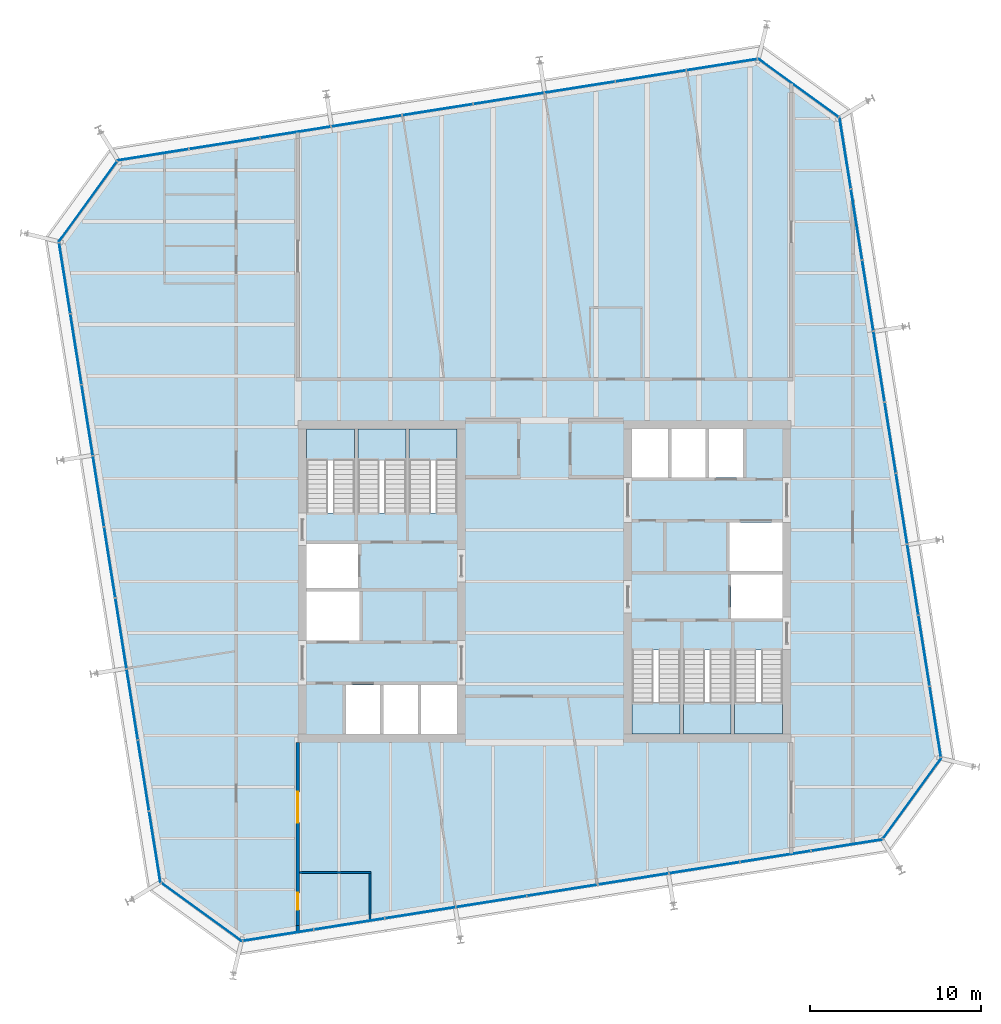
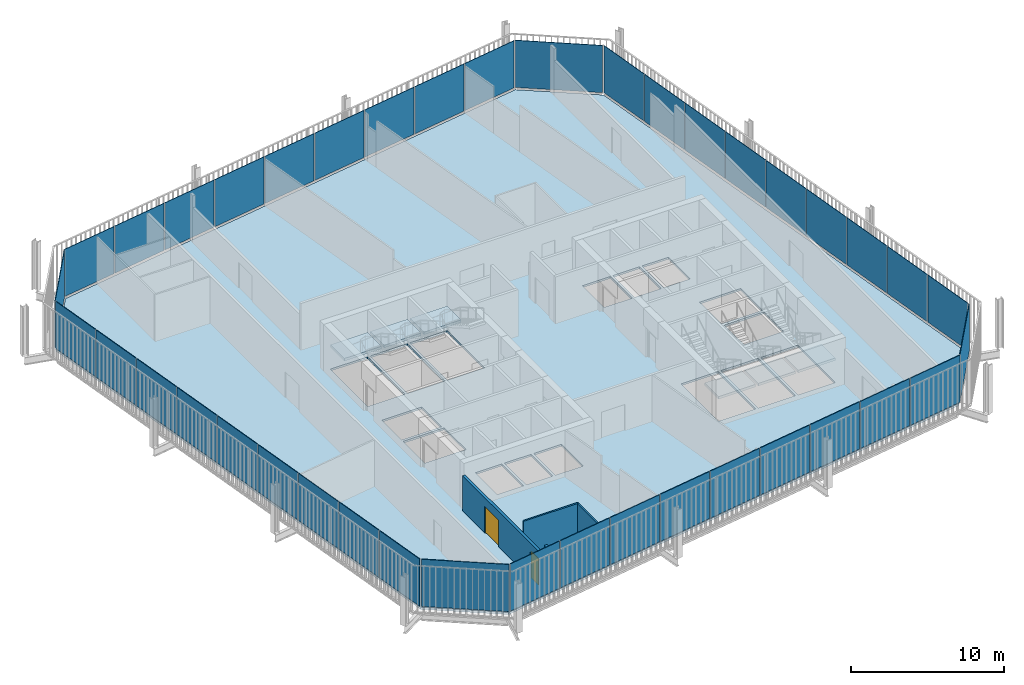
# One storey, part 15 of 20: 40 plates, 7 slabs, 4 walls, 2 doors, 2 openings, 14 elements without a shape of their own.
"""IFC4 building model written with IfcOpenShell, lengths in metres."""

from ifc_helpers import new_model, si_unit, direction, frame, frame_2d, origin, place, context, subcontext, project, spatial, polyline, rectangle, outline, extrude, material, layer, layer_set, type_object, element, fill, aggregate, save


model = new_model("IFC4")

# Units and contexts
model_context = context("Model", 3, precision=1e-05, world=origin(), true_north=direction((0.0, 1.0)))
body_context = subcontext(model_context, "Body", "Model", "MODEL_VIEW")
ifc_project = project(units=[si_unit("LENGTHUNIT", "METRE"), si_unit("AREAUNIT", "SQUARE_METRE"), si_unit("VOLUMEUNIT", "CUBIC_METRE"), si_unit("PLANEANGLEUNIT", "RADIAN"), si_unit("MASSUNIT", "GRAM", prefix="KILO")], contexts=[model_context])

# Site, building, storey
site_placement = place(None, origin())
site = spatial("IfcSite", under=ifc_project, at=site_placement, CompositionType="ELEMENT")
building_placement = place(site_placement, origin())
building = spatial("IfcBuilding", under=site, at=building_placement, Name="Millrace Tower", CompositionType="ELEMENT")
storey_placement = place(building_placement, frame((0.0, 0.0, 251.300048828125)))
storey = spatial("IfcBuildingStorey", under=building, at=storey_placement, Name="L57", CompositionType="ELEMENT", Elevation=251.300048828125)

# Curtain wall, plate
ifc_material_1 = material(Name="Aluminium and glass", Category="aluminium")
ifc_layer_1 = layer(ifc_material_1, 0.14990234375)
ifc_layer_set_1 = layer_set([ifc_layer_1], Name="Aluminium and glass")
curtain_wall_type = type_object("IfcCurtainWallType", Name="CW-1 office vision curtain wall", PredefinedType="NOTDEFINED", material=ifc_layer_set_1)
placement_1 = place(storey_placement, origin())
curtain_wall_1 = element("IfcCurtainWall", 1, at=placement_1, inside=storey, type_object=curtain_wall_type, Name="Curtain wall D-F01 L57", PredefinedType="NOTDEFINED")
ifc_material_2 = material(Name="Glass", Category="glass")
ifc_layer_2 = layer(ifc_material_2, 0.0439453125)
ifc_layer_set_2 = layer_set([ifc_layer_2], Name="Glass")
plate_type = type_object("IfcPlateType", Name="CW-1 office vision curtain wall triple-glazed vision panel", PredefinedType="CURTAIN_PANEL", material=ifc_layer_set_2)
placement_2 = place(storey_placement, frame((0.0, 0.0, 0.139892578125)))
plate_1 = element("IfcPlate", 2, at=placement_2, type_object=plate_type, Name="CW1 panel D-F01.1", PredefinedType="CURTAIN_PANEL", context=body_context, shape_type="SweptSolid", body=[
    extrude(outline(polyline([(-22.36474609375, -17.632080078125), (-17.69384765625, -21.025634765625), (-17.6826171875, -20.979248046875), (-22.3388671875, -17.596435546875), (-22.36474609375, -17.632080078125)])), origin(), (0.0, 0.0, 1.0), 3.760009765625),
])
aggregate(curtain_wall_1, [plate_1])

# Curtain wall, plates
curtain_wall_2 = element("IfcCurtainWall", 3, at=placement_1, inside=storey, type_object=curtain_wall_type, Name="Curtain wall D-F02 L57", PredefinedType="NOTDEFINED")
plate_2 = element("IfcPlate", 4, at=placement_2, type_object=plate_type, Name="CW1 panel D-F02.1", PredefinedType="CURTAIN_PANEL", context=body_context, shape_type="SweptSolid", body=[
    extrude(outline(polyline([(-17.58984375, -21.009033203125), (-13.505859375, -20.3623046875), (-13.5126953125, -20.31884765625), (-17.596923828125, -20.965576171875), (-17.58984375, -21.009033203125)])), origin(), (0.0, 0.0, 1.0), 3.760009765625),
])
plate_3 = element("IfcPlate", 5, at=placement_2, type_object=plate_type, Name="CW1 panel D-F02.2", PredefinedType="CURTAIN_PANEL", context=body_context, shape_type="SweptSolid", body=[
    extrude(outline(polyline([(-13.441650390625, -20.35205078125), (-9.357666015625, -19.705078125), (-9.364501953125, -19.66162109375), (-13.448486328125, -20.30859375), (-13.441650390625, -20.35205078125)])), origin(), (0.0, 0.0, 1.0), 3.760009765625),
])
plate_4 = element("IfcPlate", 6, at=placement_2, type_object=plate_type, Name="CW1 panel D-F02.3", PredefinedType="CURTAIN_PANEL", context=body_context, shape_type="SweptSolid", body=[
    extrude(outline(polyline([(-9.29345703125, -19.695068359375), (-5.209228515625, -19.048095703125), (-5.216064453125, -19.004638671875), (-9.30029296875, -19.651611328125), (-9.29345703125, -19.695068359375)])), origin(), (0.0, 0.0, 1.0), 3.760009765625),
])
plate_5 = element("IfcPlate", 7, at=placement_2, type_object=plate_type, Name="CW1 panel D-F02.4", PredefinedType="CURTAIN_PANEL", context=body_context, shape_type="SweptSolid", body=[
    extrude(outline(polyline([(-5.14501953125, -19.0380859375), (-1.06103515625, -18.39111328125), (-1.06787109375, -18.34765625), (-5.15185546875, -18.99462890625), (-5.14501953125, -19.0380859375)])), origin(), (0.0, 0.0, 1.0), 3.760009765625),
])
plate_6 = element("IfcPlate", 8, at=placement_2, type_object=plate_type, Name="CW1 panel D-F02.5", PredefinedType="CURTAIN_PANEL", context=body_context, shape_type="SweptSolid", body=[
    extrude(outline(polyline([(-0.996826171875, -18.380859375), (3.08740234375, -17.734130859375), (3.080322265625, -17.690673828125), (-1.003662109375, -18.33740234375), (-0.996826171875, -18.380859375)])), origin(), (0.0, 0.0, 1.0), 3.760009765625),
])
plate_7 = element("IfcPlate", 9, at=placement_2, type_object=plate_type, Name="CW1 panel D-F02.6", PredefinedType="CURTAIN_PANEL", context=body_context, shape_type="SweptSolid", body=[
    extrude(outline(polyline([(3.151611328125, -17.723876953125), (7.235595703125, -17.0771484375), (7.228759765625, -17.03369140625), (3.14453125, -17.680419921875), (3.151611328125, -17.723876953125)])), origin(), (0.0, 0.0, 1.0), 3.760009765625),
])
plate_8 = element("IfcPlate", 10, at=placement_2, type_object=plate_type, Name="CW1 panel D-F02.7", PredefinedType="CURTAIN_PANEL", context=body_context, shape_type="SweptSolid", body=[
    extrude(outline(polyline([(7.2998046875, -17.06689453125), (11.3837890625, -16.420166015625), (11.376953125, -16.376708984375), (7.29296875, -17.0234375), (7.2998046875, -17.06689453125)])), origin(), (0.0, 0.0, 1.0), 3.760009765625),
])
plate_9 = element("IfcPlate", 11, at=placement_2, type_object=plate_type, Name="CW1 panel D-F02.8", PredefinedType="CURTAIN_PANEL", context=body_context, shape_type="SweptSolid", body=[
    extrude(outline(polyline([(11.447998046875, -16.409912109375), (15.5322265625, -15.762939453125), (15.525390625, -15.719482421875), (11.441162109375, -16.366455078125), (11.447998046875, -16.409912109375)])), origin(), (0.0, 0.0, 1.0), 3.760009765625),
])
plate_10 = element("IfcPlate", 12, at=placement_2, type_object=plate_type, Name="CW1 panel D-F02.9", PredefinedType="CURTAIN_PANEL", context=body_context, shape_type="SweptSolid", body=[
    extrude(outline(polyline([(15.596435546875, -15.7529296875), (19.72021484375, -15.099853515625), (19.6953125, -15.05908203125), (15.589599609375, -15.70947265625), (15.596435546875, -15.7529296875)])), origin(), (0.0, 0.0, 1.0), 3.760009765625),
])
aggregate(curtain_wall_2, [plate_2, plate_3, plate_4, plate_5, plate_6, plate_7, plate_8, plate_9, plate_10])

# Curtain wall, plate
curtain_wall_3 = element("IfcCurtainWall", 13, at=placement_1, inside=storey, type_object=curtain_wall_type, Name="Curtain wall D-F03 L57", PredefinedType="NOTDEFINED")
plate_11 = element("IfcPlate", 14, at=placement_2, type_object=plate_type, Name="CW1 panel D-F03.1", PredefinedType="CURTAIN_PANEL", context=body_context, shape_type="SweptSolid", body=[
    extrude(outline(polyline([(19.781982421875, -15.0146484375), (23.175537109375, -10.34375), (23.129150390625, -10.332763671875), (19.746337890625, -14.98876953125), (19.781982421875, -15.0146484375)])), origin(), (0.0, 0.0, 1.0), 3.760009765625),
])
aggregate(curtain_wall_3, [plate_11])

# Curtain wall, plates
curtain_wall_4 = element("IfcCurtainWall", 15, at=placement_1, inside=storey, type_object=curtain_wall_type, Name="Curtain wall D-F04 L57", PredefinedType="NOTDEFINED")
plate_12 = element("IfcPlate", 16, at=placement_2, type_object=plate_type, Name="CW1 panel D-F04.1", PredefinedType="CURTAIN_PANEL", context=body_context, shape_type="SweptSolid", body=[
    extrude(outline(polyline([(23.1591796875, -10.239990234375), (22.51220703125, -6.15576171875), (22.46875, -6.162841796875), (23.11572265625, -10.246826171875), (23.1591796875, -10.239990234375)])), origin(), (0.0, 0.0, 1.0), 3.760009765625),
])
plate_13 = element("IfcPlate", 17, at=placement_2, type_object=plate_type, Name="CW1 panel D-F04.2", PredefinedType="CURTAIN_PANEL", context=body_context, shape_type="SweptSolid", body=[
    extrude(outline(polyline([(22.501953125, -6.091552734375), (21.855224609375, -2.007568359375), (21.811767578125, -2.014404296875), (22.45849609375, -6.0986328125), (22.501953125, -6.091552734375)])), origin(), (0.0, 0.0, 1.0), 3.760009765625),
])
plate_14 = element("IfcPlate", 18, at=placement_2, type_object=plate_type, Name="CW1 panel D-F04.3", PredefinedType="CURTAIN_PANEL", context=body_context, shape_type="SweptSolid", body=[
    extrude(outline(polyline([(21.844970703125, -1.943359375), (21.1982421875, 2.140625), (21.15478515625, 2.1337890625), (21.801513671875, -1.9501953125), (21.844970703125, -1.943359375)])), origin(), (0.0, 0.0, 1.0), 3.760009765625),
])
plate_15 = element("IfcPlate", 19, at=placement_2, type_object=plate_type, Name="CW1 panel D-F04.4", PredefinedType="CURTAIN_PANEL", context=body_context, shape_type="SweptSolid", body=[
    extrude(outline(polyline([(21.18798828125, 2.204833984375), (20.541259765625, 6.2890625), (20.497802734375, 6.2822265625), (21.14453125, 2.197998046875), (21.18798828125, 2.204833984375)])), origin(), (0.0, 0.0, 1.0), 3.760009765625),
])
plate_16 = element("IfcPlate", 20, at=placement_2, type_object=plate_type, Name="CW1 panel D-F04.5", PredefinedType="CURTAIN_PANEL", context=body_context, shape_type="SweptSolid", body=[
    extrude(outline(polyline([(20.531005859375, 6.353271484375), (19.884033203125, 10.437255859375), (19.840576171875, 10.430419921875), (20.487548828125, 6.346435546875), (20.531005859375, 6.353271484375)])), origin(), (0.0, 0.0, 1.0), 3.760009765625),
])
plate_17 = element("IfcPlate", 21, at=placement_2, type_object=plate_type, Name="CW1 panel D-F04.6", PredefinedType="CURTAIN_PANEL", context=body_context, shape_type="SweptSolid", body=[
    extrude(outline(polyline([(19.8740234375, 10.50146484375), (19.22705078125, 14.585693359375), (19.18359375, 14.57861328125), (19.83056640625, 10.49462890625), (19.8740234375, 10.50146484375)])), origin(), (0.0, 0.0, 1.0), 3.760009765625),
])
plate_18 = element("IfcPlate", 22, at=placement_2, type_object=plate_type, Name="CW1 panel D-F04.7", PredefinedType="CURTAIN_PANEL", context=body_context, shape_type="SweptSolid", body=[
    extrude(outline(polyline([(19.217041015625, 14.64990234375), (18.570068359375, 18.73388671875), (18.526611328125, 18.72705078125), (19.173583984375, 14.642822265625), (19.217041015625, 14.64990234375)])), origin(), (0.0, 0.0, 1.0), 3.760009765625),
])
plate_19 = element("IfcPlate", 23, at=placement_2, type_object=plate_type, Name="CW1 panel D-F04.8", PredefinedType="CURTAIN_PANEL", context=body_context, shape_type="SweptSolid", body=[
    extrude(outline(polyline([(18.559814453125, 18.798095703125), (17.9130859375, 22.882080078125), (17.86962890625, 22.875244140625), (18.516357421875, 18.791259765625), (18.559814453125, 18.798095703125)])), origin(), (0.0, 0.0, 1.0), 3.760009765625),
])
plate_20 = element("IfcPlate", 24, at=placement_2, type_object=plate_type, Name="CW1 panel D-F04.9", PredefinedType="CURTAIN_PANEL", context=body_context, shape_type="SweptSolid", body=[
    extrude(outline(polyline([(17.90283203125, 22.9462890625), (17.249755859375, 27.070068359375), (17.209228515625, 27.045166015625), (17.859375, 22.939453125), (17.90283203125, 22.9462890625)])), origin(), (0.0, 0.0, 1.0), 3.760009765625),
])
aggregate(curtain_wall_4, [plate_12, plate_13, plate_14, plate_15, plate_16, plate_17, plate_18, plate_19, plate_20])

# Curtain wall, plate
curtain_wall_5 = element("IfcCurtainWall", 25, at=placement_1, inside=storey, type_object=curtain_wall_type, Name="Curtain wall D-F05 L57", PredefinedType="NOTDEFINED")
plate_21 = element("IfcPlate", 26, at=placement_2, type_object=plate_type, Name="CW1 panel D-F05.1", PredefinedType="CURTAIN_PANEL", context=body_context, shape_type="SweptSolid", body=[
    extrude(outline(polyline([(17.16455078125, 27.132080078125), (12.493896484375, 30.525634765625), (12.482666015625, 30.479248046875), (17.138671875, 27.096435546875), (17.16455078125, 27.132080078125)])), origin(), (0.0, 0.0, 1.0), 3.760009765625),
])
aggregate(curtain_wall_5, [plate_21])

# Curtain wall, plates
curtain_wall_6 = element("IfcCurtainWall", 27, at=placement_1, inside=storey, type_object=curtain_wall_type, Name="Curtain wall D-F06 L57", PredefinedType="NOTDEFINED")
plate_22 = element("IfcPlate", 28, at=placement_2, type_object=plate_type, Name="CW1 panel D-F06.1", PredefinedType="CURTAIN_PANEL", context=body_context, shape_type="SweptSolid", body=[
    extrude(outline(polyline([(12.389892578125, 30.509033203125), (8.305908203125, 29.8623046875), (8.312744140625, 29.81884765625), (12.396728515625, 30.465576171875), (12.389892578125, 30.509033203125)])), origin(), (0.0, 0.0, 1.0), 3.760009765625),
])
plate_23 = element("IfcPlate", 29, at=placement_2, type_object=plate_type, Name="CW1 panel D-F06.2", PredefinedType="CURTAIN_PANEL", context=body_context, shape_type="SweptSolid", body=[
    extrude(outline(polyline([(8.24169921875, 29.85205078125), (4.157470703125, 29.205078125), (4.16455078125, 29.16162109375), (8.24853515625, 29.80859375), (8.24169921875, 29.85205078125)])), origin(), (0.0, 0.0, 1.0), 3.760009765625),
])
plate_24 = element("IfcPlate", 30, at=placement_2, type_object=plate_type, Name="CW1 panel D-F06.3", PredefinedType="CURTAIN_PANEL", context=body_context, shape_type="SweptSolid", body=[
    extrude(outline(polyline([(4.09326171875, 29.195068359375), (0.00927734375, 28.548095703125), (0.01611328125, 28.504638671875), (4.100341796875, 29.151611328125), (4.09326171875, 29.195068359375)])), origin(), (0.0, 0.0, 1.0), 3.760009765625),
])
plate_25 = element("IfcPlate", 31, at=placement_2, type_object=plate_type, Name="CW1 panel D-F06.4", PredefinedType="CURTAIN_PANEL", context=body_context, shape_type="SweptSolid", body=[
    extrude(outline(polyline([(-0.054931640625, 28.5380859375), (-4.138916015625, 27.89111328125), (-4.132080078125, 27.84765625), (-0.048095703125, 28.49462890625), (-0.054931640625, 28.5380859375)])), origin(), (0.0, 0.0, 1.0), 3.760009765625),
])
plate_26 = element("IfcPlate", 32, at=placement_2, type_object=plate_type, Name="CW1 panel D-F06.5", PredefinedType="CURTAIN_PANEL", context=body_context, shape_type="SweptSolid", body=[
    extrude(outline(polyline([(-4.203125, 27.880859375), (-8.287353515625, 27.234130859375), (-8.280517578125, 27.190673828125), (-4.1962890625, 27.83740234375), (-4.203125, 27.880859375)])), origin(), (0.0, 0.0, 1.0), 3.760009765625),
])
plate_27 = element("IfcPlate", 33, at=placement_2, type_object=plate_type, Name="CW1 panel D-F06.6", PredefinedType="CURTAIN_PANEL", context=body_context, shape_type="SweptSolid", body=[
    extrude(outline(polyline([(-8.3515625, 27.223876953125), (-12.435546875, 26.5771484375), (-12.4287109375, 26.53369140625), (-8.3447265625, 27.180419921875), (-8.3515625, 27.223876953125)])), origin(), (0.0, 0.0, 1.0), 3.760009765625),
])
plate_28 = element("IfcPlate", 34, at=placement_2, type_object=plate_type, Name="CW1 panel D-F06.7", PredefinedType="CURTAIN_PANEL", context=body_context, shape_type="SweptSolid", body=[
    extrude(outline(polyline([(-12.499755859375, 26.56689453125), (-16.583984375, 25.920166015625), (-16.576904296875, 25.876708984375), (-12.492919921875, 26.5234375), (-12.499755859375, 26.56689453125)])), origin(), (0.0, 0.0, 1.0), 3.760009765625),
])
plate_29 = element("IfcPlate", 35, at=placement_2, type_object=plate_type, Name="CW1 panel D-F06.8", PredefinedType="CURTAIN_PANEL", context=body_context, shape_type="SweptSolid", body=[
    extrude(outline(polyline([(-16.648193359375, 25.909912109375), (-20.732177734375, 25.262939453125), (-20.725341796875, 25.219482421875), (-16.64111328125, 25.866455078125), (-16.648193359375, 25.909912109375)])), origin(), (0.0, 0.0, 1.0), 3.760009765625),
])
plate_30 = element("IfcPlate", 36, at=placement_2, type_object=plate_type, Name="CW1 panel D-F06.9", PredefinedType="CURTAIN_PANEL", context=body_context, shape_type="SweptSolid", body=[
    extrude(outline(polyline([(-20.79638671875, 25.2529296875), (-24.920166015625, 24.599853515625), (-24.895263671875, 24.55908203125), (-20.78955078125, 25.20947265625), (-20.79638671875, 25.2529296875)])), origin(), (0.0, 0.0, 1.0), 3.760009765625),
])
aggregate(curtain_wall_6, [plate_22, plate_23, plate_24, plate_25, plate_26, plate_27, plate_28, plate_29, plate_30])

# Curtain wall, plate
curtain_wall_7 = element("IfcCurtainWall", 37, at=placement_1, inside=storey, type_object=curtain_wall_type, Name="Curtain wall D-F07 L57", PredefinedType="NOTDEFINED")
plate_31 = element("IfcPlate", 38, at=placement_2, type_object=plate_type, Name="CW1 panel D-F07.1", PredefinedType="CURTAIN_PANEL", context=body_context, shape_type="SweptSolid", body=[
    extrude(outline(polyline([(-24.98193359375, 24.5146484375), (-28.37548828125, 19.84375), (-28.329345703125, 19.832763671875), (-24.9462890625, 24.48876953125), (-24.98193359375, 24.5146484375)])), origin(), (0.0, 0.0, 1.0), 3.760009765625),
])
aggregate(curtain_wall_7, [plate_31])

# Curtain wall, plates
curtain_wall_8 = element("IfcCurtainWall", 39, at=placement_1, inside=storey, type_object=curtain_wall_type, Name="Curtain wall D-F08 L57", PredefinedType="NOTDEFINED")
plate_32 = element("IfcPlate", 40, at=placement_2, type_object=plate_type, Name="CW1 panel D-F08.1", PredefinedType="CURTAIN_PANEL", context=body_context, shape_type="SweptSolid", body=[
    extrude(outline(polyline([(-28.359130859375, 19.739990234375), (-27.712158203125, 15.65576171875), (-27.668701171875, 15.662841796875), (-28.315673828125, 19.746826171875), (-28.359130859375, 19.739990234375)])), origin(), (0.0, 0.0, 1.0), 3.760009765625),
])
plate_33 = element("IfcPlate", 41, at=placement_2, type_object=plate_type, Name="CW1 panel D-F08.2", PredefinedType="CURTAIN_PANEL", context=body_context, shape_type="SweptSolid", body=[
    extrude(outline(polyline([(-27.7021484375, 15.591552734375), (-27.05517578125, 11.507568359375), (-27.01171875, 11.514404296875), (-27.65869140625, 15.5986328125), (-27.7021484375, 15.591552734375)])), origin(), (0.0, 0.0, 1.0), 3.760009765625),
])
plate_34 = element("IfcPlate", 42, at=placement_2, type_object=plate_type, Name="CW1 panel D-F08.3", PredefinedType="CURTAIN_PANEL", context=body_context, shape_type="SweptSolid", body=[
    extrude(outline(polyline([(-27.044921875, 11.443359375), (-26.398193359375, 7.359375), (-26.354736328125, 7.3662109375), (-27.00146484375, 11.4501953125), (-27.044921875, 11.443359375)])), origin(), (0.0, 0.0, 1.0), 3.760009765625),
])
plate_35 = element("IfcPlate", 43, at=placement_2, type_object=plate_type, Name="CW1 panel D-F08.4", PredefinedType="CURTAIN_PANEL", context=body_context, shape_type="SweptSolid", body=[
    extrude(outline(polyline([(-26.387939453125, 7.295166015625), (-25.7412109375, 3.2109375), (-25.69775390625, 3.2177734375), (-26.344482421875, 7.302001953125), (-26.387939453125, 7.295166015625)])), origin(), (0.0, 0.0, 1.0), 3.760009765625),
])
plate_36 = element("IfcPlate", 44, at=placement_2, type_object=plate_type, Name="CW1 panel D-F08.5", PredefinedType="CURTAIN_PANEL", context=body_context, shape_type="SweptSolid", body=[
    extrude(outline(polyline([(-25.73095703125, 3.146728515625), (-25.084228515625, -0.937255859375), (-25.040771484375, -0.930419921875), (-25.6875, 3.153564453125), (-25.73095703125, 3.146728515625)])), origin(), (0.0, 0.0, 1.0), 3.760009765625),
])
plate_37 = element("IfcPlate", 45, at=placement_2, type_object=plate_type, Name="CW1 panel D-F08.6", PredefinedType="CURTAIN_PANEL", context=body_context, shape_type="SweptSolid", body=[
    extrude(outline(polyline([(-25.073974609375, -1.00146484375), (-24.427001953125, -5.085693359375), (-24.383544921875, -5.07861328125), (-25.030517578125, -0.99462890625), (-25.073974609375, -1.00146484375)])), origin(), (0.0, 0.0, 1.0), 3.760009765625),
])
plate_38 = element("IfcPlate", 46, at=placement_2, type_object=plate_type, Name="CW1 panel D-F08.7", PredefinedType="CURTAIN_PANEL", context=body_context, shape_type="SweptSolid", body=[
    extrude(outline(polyline([(-24.4169921875, -5.14990234375), (-23.77001953125, -9.23388671875), (-23.7265625, -9.22705078125), (-24.37353515625, -5.142822265625), (-24.4169921875, -5.14990234375)])), origin(), (0.0, 0.0, 1.0), 3.760009765625),
])
plate_39 = element("IfcPlate", 47, at=placement_2, type_object=plate_type, Name="CW1 panel D-F08.8", PredefinedType="CURTAIN_PANEL", context=body_context, shape_type="SweptSolid", body=[
    extrude(outline(polyline([(-23.760009765625, -9.298095703125), (-23.113037109375, -13.382080078125), (-23.069580078125, -13.375244140625), (-23.716552734375, -9.291259765625), (-23.760009765625, -9.298095703125)])), origin(), (0.0, 0.0, 1.0), 3.760009765625),
])
plate_40 = element("IfcPlate", 48, at=placement_2, type_object=plate_type, Name="CW1 panel D-F08.9", PredefinedType="CURTAIN_PANEL", context=body_context, shape_type="SweptSolid", body=[
    extrude(outline(polyline([(-23.102783203125, -13.4462890625), (-22.44970703125, -17.570068359375), (-22.4091796875, -17.545166015625), (-23.059326171875, -13.439453125), (-23.102783203125, -13.4462890625)])), origin(), (0.0, 0.0, 1.0), 3.760009765625),
])
aggregate(curtain_wall_8, [plate_32, plate_33, plate_34, plate_35, plate_36, plate_37, plate_38, plate_39, plate_40])

# Slab
ifc_material_3 = material(Name="Concrete C35 on steel deck", Category="concrete")
ifc_layer_3 = layer(ifc_material_3, 0.159912109375)
ifc_layer_set_3 = layer_set([ifc_layer_3], Name="Concrete C35 on steel deck")
slab_type_1 = type_object("IfcSlabType", Name="Composite floor slab 160 mm", PredefinedType="FLOOR", material=ifc_layer_set_3)
slab_1_placement = place(storey_placement, frame((0.0, 0.0, -0.16015625)))
element("IfcSlab", 49, at=slab_1_placement, inside=storey, type_object=slab_type_1, Name="SL-D-L57-S1", PredefinedType="FLOOR", context=body_context, shape_type="SweptSolid", body=[
    extrude(outline(polyline([(-22.360107421875, -17.515380859375), (-17.66943359375, -20.92333984375), (19.665283203125, -15.01025390625), (23.073486328125, -10.3193359375), (17.16015625, 27.015380859375), (12.46923828125, 30.42333984375), (-24.865234375, 24.51025390625), (-28.2734375, 19.8193359375), (-22.360107421875, -17.515380859375)]), holes=[polyline([(-11.60009765625, -8.89990234375), (-9.60009765625, -8.89990234375), (-9.60009765625, -6.050048828125), (-11.60009765625, -6.050048828125), (-11.60009765625, -8.89990234375)]), polyline([(-9.39990234375, -8.89990234375), (-7.39990234375, -8.89990234375), (-7.39990234375, -6.050048828125), (-9.39990234375, -6.050048828125), (-9.39990234375, -8.89990234375)]), polyline([(-7.199951171875, -8.89990234375), (-5.10009765625, -8.89990234375), (-5.10009765625, -6.050048828125), (-7.199951171875, -6.050048828125), (-7.199951171875, -8.89990234375)]), polyline([(-13.89990234375, -3.449951171875), (-10.800048828125, -3.449951171875), (-10.800048828125, -0.60009765625), (-13.89990234375, -0.60009765625), (-13.89990234375, -3.449951171875)]), polyline([(-13.89990234375, -0.39990234375), (-10.89990234375, -0.39990234375), (-10.89990234375, 2.179931640625), (-13.89990234375, 2.179931640625), (-13.89990234375, -0.39990234375)]), polyline([(-13.89990234375, 4.0), (-11.10009765625, 4.0), (-11.10009765625, 8.89990234375), (-13.89990234375, 8.89990234375), (-13.89990234375, 4.0)]), polyline([(-10.89990234375, 4.0), (-8.10009765625, 4.0), (-8.10009765625, 8.89990234375), (-10.89990234375, 8.89990234375), (-10.89990234375, 4.0)]), polyline([(-7.89990234375, 4.0), (-5.10009765625, 4.0), (-5.10009765625, 8.89990234375), (-7.89990234375, 8.89990234375), (-7.89990234375, 4.0)]), polyline([(9.60009765625, 6.050048828125), (11.60009765625, 6.050048828125), (11.60009765625, 8.89990234375), (9.60009765625, 8.89990234375), (9.60009765625, 6.050048828125)]), polyline([(7.39990234375, 6.050048828125), (9.39990234375, 6.050048828125), (9.39990234375, 8.89990234375), (7.39990234375, 8.89990234375), (7.39990234375, 6.050048828125)]), polyline([(5.10009765625, 6.050048828125), (7.199951171875, 6.050048828125), (7.199951171875, 8.89990234375), (5.10009765625, 8.89990234375), (5.10009765625, 6.050048828125)]), polyline([(10.800048828125, 0.60009765625), (13.89990234375, 0.60009765625), (13.89990234375, 3.449951171875), (10.800048828125, 3.449951171875), (10.800048828125, 0.60009765625)]), polyline([(10.89990234375, -2.179931640625), (13.89990234375, -2.179931640625), (13.89990234375, 0.39990234375), (10.89990234375, 0.39990234375), (10.89990234375, -2.179931640625)]), polyline([(11.10009765625, -8.89990234375), (13.89990234375, -8.89990234375), (13.89990234375, -4.0), (11.10009765625, -4.0), (11.10009765625, -8.89990234375)]), polyline([(8.10009765625, -8.89990234375), (10.89990234375, -8.89990234375), (10.89990234375, -4.0), (8.10009765625, -4.0), (8.10009765625, -8.89990234375)]), polyline([(5.10009765625, -8.89990234375), (7.89990234375, -8.89990234375), (7.89990234375, -4.0), (5.10009765625, -4.0), (5.10009765625, -8.89990234375)])]), origin(), (0.0, 0.0, 1.0), 0.16015625),
])

# Stair, slab
ifc_material_4 = material(Name="Concrete C35", Category="concrete")
stair_type = type_object("IfcStairType", Name="Exit stair", PredefinedType="HALF_TURN_STAIR", material=ifc_material_4)
stair_1 = element("IfcStair", 50, at=placement_1, inside=storey, type_object=stair_type, Name="Stair 1 W L57", PredefinedType="HALF_TURN_STAIR")
ifc_material_5 = material(Name="Concrete C40", Category="concrete")
ifc_layer_4 = layer(ifc_material_5, 0.199951171875)
ifc_layer_set_4 = layer_set([ifc_layer_4], Name="Concrete C40")
slab_type_2 = type_object("IfcSlabType", Name="Stair landing", PredefinedType="LANDING", material=ifc_layer_set_4)
placement_3 = place(storey_placement, frame((0.0, 0.0, 1.75)))
slab_2 = element("IfcSlab", 51, at=placement_3, type_object=slab_type_2, Name="ST12 landing 1", PredefinedType="LANDING", context=body_context, shape_type="SweptSolid", body=[
    extrude(outline(polyline([(-13.89990234375, 7.080078125), (-11.10009765625, 7.080078125), (-11.10009765625, 8.89990234375), (-13.89990234375, 8.89990234375), (-13.89990234375, 7.080078125)])), origin(), (0.0, 0.0, 1.0), 0.199951171875),
])
aggregate(stair_1, [slab_2])

stair_2 = element("IfcStair", 52, at=placement_1, inside=storey, type_object=stair_type, Name="Stair 2 W L57", PredefinedType="HALF_TURN_STAIR")
slab_3 = element("IfcSlab", 53, at=placement_3, type_object=slab_type_2, Name="ST12 landing 1", PredefinedType="LANDING", context=body_context, shape_type="SweptSolid", body=[
    extrude(outline(polyline([(-10.89990234375, 7.080078125), (-8.10009765625, 7.080078125), (-8.10009765625, 8.89990234375), (-10.89990234375, 8.89990234375), (-10.89990234375, 7.080078125)])), origin(), (0.0, 0.0, 1.0), 0.199951171875),
])
aggregate(stair_2, [slab_3])

stair_3 = element("IfcStair", 54, at=placement_1, inside=storey, type_object=stair_type, Name="Stair 3 W L57", PredefinedType="HALF_TURN_STAIR")
slab_4 = element("IfcSlab", 55, at=placement_3, type_object=slab_type_2, Name="ST12 landing 1", PredefinedType="LANDING", context=body_context, shape_type="SweptSolid", body=[
    extrude(outline(polyline([(-7.89990234375, 7.080078125), (-5.10009765625, 7.080078125), (-5.10009765625, 8.89990234375), (-7.89990234375, 8.89990234375), (-7.89990234375, 7.080078125)])), origin(), (0.0, 0.0, 1.0), 0.199951171875),
])
aggregate(stair_3, [slab_4])

stair_4 = element("IfcStair", 56, at=placement_1, inside=storey, type_object=stair_type, Name="Stair 1 E L57", PredefinedType="HALF_TURN_STAIR")
slab_5 = element("IfcSlab", 57, at=placement_3, type_object=slab_type_2, Name="ST12 landing 1", PredefinedType="LANDING", context=body_context, shape_type="SweptSolid", body=[
    extrude(outline(polyline([(11.10009765625, -8.89990234375), (13.89990234375, -8.89990234375), (13.89990234375, -7.080078125), (11.10009765625, -7.080078125), (11.10009765625, -8.89990234375)])), origin(), (0.0, 0.0, 1.0), 0.199951171875),
])
aggregate(stair_4, [slab_5])

stair_5 = element("IfcStair", 58, at=placement_1, inside=storey, type_object=stair_type, Name="Stair 2 E L57", PredefinedType="HALF_TURN_STAIR")
slab_6 = element("IfcSlab", 59, at=placement_3, type_object=slab_type_2, Name="ST12 landing 1", PredefinedType="LANDING", context=body_context, shape_type="SweptSolid", body=[
    extrude(outline(polyline([(8.10009765625, -8.89990234375), (10.89990234375, -8.89990234375), (10.89990234375, -7.080078125), (8.10009765625, -7.080078125), (8.10009765625, -8.89990234375)])), origin(), (0.0, 0.0, 1.0), 0.199951171875),
])
aggregate(stair_5, [slab_6])

stair_6 = element("IfcStair", 60, at=placement_1, inside=storey, type_object=stair_type, Name="Stair 3 E L57", PredefinedType="HALF_TURN_STAIR")
slab_7 = element("IfcSlab", 61, at=placement_3, type_object=slab_type_2, Name="ST12 landing 1", PredefinedType="LANDING", context=body_context, shape_type="SweptSolid", body=[
    extrude(outline(polyline([(5.10009765625, -8.89990234375), (7.89990234375, -8.89990234375), (7.89990234375, -7.080078125), (5.10009765625, -7.080078125), (5.10009765625, -8.89990234375)])), origin(), (0.0, 0.0, 1.0), 0.199951171875),
])
aggregate(stair_6, [slab_7])

# Wall
ifc_material_6 = material(Name="Masonry partition, fire-rated", Category="masonry")
ifc_layer_5 = layer(ifc_material_6, 0.199951171875)
ifc_layer_set_5 = layer_set([ifc_layer_5], Name="Masonry partition, fire-rated")
wall_type_1 = type_object("IfcWallType", Name="Corridor wall 200", PredefinedType="PARTITIONING", material=ifc_layer_set_5)
wall_1_placement = place(storey_placement, frame((-14.39990234375, -20.43603515625, 0.0), z_axis=(0.0, 0.0, 1.0), x_axis=(0.0, 1.0, 0.0)))
element("IfcWall", 62, at=wall_1_placement, inside=storey, type_object=wall_type_1, Name="Corridor wall L57", PredefinedType="PARTITIONING", context=body_context, shape_type="SweptSolid", body=[
    extrude(rectangle(XDim=0.349609375, YDim=0.199951171875, at=frame_2d((0.1748046875, 0.0))), origin(), (0.0, 0.0, 1.0), 3.739990234375),
])

# Wall, openings, doors
wall_2_placement = place(storey_placement, frame((-14.39990234375, -20.08642578125, 0.0), z_axis=(0.0, 0.0, 1.0), x_axis=(0.0, 1.0, 0.0)))
wall_2 = element("IfcWall", 63, at=wall_2_placement, inside=storey, type_object=wall_type_1, Name="Corridor wall L57", PredefinedType="PARTITIONING", context=body_context, shape_type="SweptSolid", body=[
    extrude(rectangle(XDim=10.6865234375, YDim=0.199951171875, at=frame_2d((5.34326171875, 0.0))), origin(), (0.0, 0.0, 1.0), 2.812744140625),
])
opening_1_placement = place(wall_2_placement, frame((5.993896484375, 0.0, 0.0)))
opening_1 = element("IfcOpeningElement", 64, at=opening_1_placement, cuts=wall_2, Name="Opening 57-P011", PredefinedType="OPENING", context=body_context, shape_type="SweptSolid", body=[
    extrude(rectangle(XDim=1.800048828125, YDim=2.10009765625, at=frame_2d((0.89990234375, 1.050048828125))), frame((0.0, 0.10986328125, 0.0), z_axis=(0.0, -1.0, 0.0), x_axis=(1.0, 0.0, 0.0)), (0.0, 0.0, 1.0), 0.219970703125),
])
opening_2_placement = place(wall_2_placement, frame((0.9013671875, 0.0, 0.0)))
opening_2 = element("IfcOpeningElement", 65, at=opening_2_placement, cuts=wall_2, Name="Opening 57-P012", PredefinedType="OPENING", context=body_context, shape_type="SweptSolid", body=[
    extrude(rectangle(XDim=1.0, YDim=2.10009765625, at=frame_2d((0.5, 1.050048828125))), frame((0.0, 0.10986328125, 0.0), z_axis=(0.0, -1.0, 0.0), x_axis=(1.0, 0.0, 0.0)), (0.0, 0.0, 1.0), 0.219970703125),
])
ifc_material_7 = material(Name="Steel door set, fire-rated", Category="steel")
door_type_1 = type_object("IfcDoorType", Name="Corridor door 1000 x 2100", OperationType="SINGLE_SWING_LEFT", PredefinedType="DOOR", material=ifc_material_7)
door_1_placement = place(opening_2_placement, frame((1.0, 0.0, 0.0), z_axis=(0.0, 0.0, 1.0), x_axis=(-1.0, 0.0, 0.0)))
door_1 = element("IfcDoor", 66, at=door_1_placement, inside=storey, type_object=door_type_1, Name="Door 57-P012", OperationType="SINGLE_SWING_RIGHT", OverallHeight=2.10009765625, OverallWidth=1.0, PredefinedType="DOOR", context=body_context, shape_type="SweptSolid", body=[
    extrude(rectangle(XDim=1.0, YDim=2.10009765625, at=frame_2d((0.5, 1.050048828125))), frame((0.0, 0.02490234375, 0.0), z_axis=(0.0, -1.0, 0.0), x_axis=(1.0, 0.0, 0.0)), (0.0, 0.0, 1.0), 0.050048828125),
])
fill(opening_2, door_1)
ifc_material_8 = material(Name="Steel door set, fire-rated", Category="steel")
door_type_2 = type_object("IfcDoorType", Name="Corridor door 1800 x 2100", OperationType="DOUBLE_DOOR_SINGLE_SWING", PredefinedType="DOOR", material=ifc_material_8)
door_2_placement = place(opening_1_placement, frame((1.800048828125, 0.0, 0.0), z_axis=(0.0, 0.0, 1.0), x_axis=(-1.0, 0.0, 0.0)))
door_2 = element("IfcDoor", 67, at=door_2_placement, inside=storey, type_object=door_type_2, Name="Door 57-P011", OperationType="DOUBLE_DOOR_SINGLE_SWING", OverallHeight=2.10009765625, OverallWidth=1.800048828125, PredefinedType="DOOR", context=body_context, shape_type="SweptSolid", body=[
    extrude(rectangle(XDim=1.800048828125, YDim=2.10009765625, at=frame_2d((0.89990234375, 1.050048828125))), frame((0.0, 0.02490234375, 0.0), z_axis=(0.0, -1.0, 0.0), x_axis=(1.0, 0.0, 0.0)), (0.0, 0.0, 1.0), 0.050048828125),
])
fill(opening_1, door_2)

# Walls
ifc_material_9 = material(Name="Gypsum board partition")
ifc_layer_6 = layer(ifc_material_9, 0.1201171875)
ifc_layer_set_6 = layer_set([ifc_layer_6], Name="Gypsum board partition")
wall_type_2 = type_object("IfcWallType", Name="Partition wall 120", PredefinedType="PARTITIONING", material=ifc_layer_set_6)
wall_3_placement = place(storey_placement, frame((-14.300048828125, -16.985107421875, 0.0), z_axis=(0.0, 0.0, 1.0), x_axis=(1.0, 0.0, 0.0)))
element("IfcWall", 68, at=wall_3_placement, inside=storey, type_object=wall_type_2, Name="Partition wall L57", PredefinedType="PARTITIONING", context=body_context, shape_type="SweptSolid", body=[
    extrude(rectangle(XDim=4.16015625, YDim=0.1201171875, at=frame_2d((2.080078125, 0.0))), origin(), (0.0, 0.0, 1.0), 3.739990234375),
])
wall_4_placement = place(storey_placement, frame((-10.199951171875, -19.770751953125, 0.0), z_axis=(0.0, 0.0, 1.0), x_axis=(0.0, 1.0, 0.0)))
element("IfcWall", 69, at=wall_4_placement, inside=storey, type_object=wall_type_2, Name="Partition wall L57", PredefinedType="PARTITIONING", context=body_context, shape_type="SweptSolid", body=[
    extrude(rectangle(XDim=2.725830078125, YDim=0.1201171875, at=frame_2d((1.36279296875, 0.0))), origin(), (0.0, 0.0, 1.0), 3.739990234375),
])

save(model, "model.ifc")
